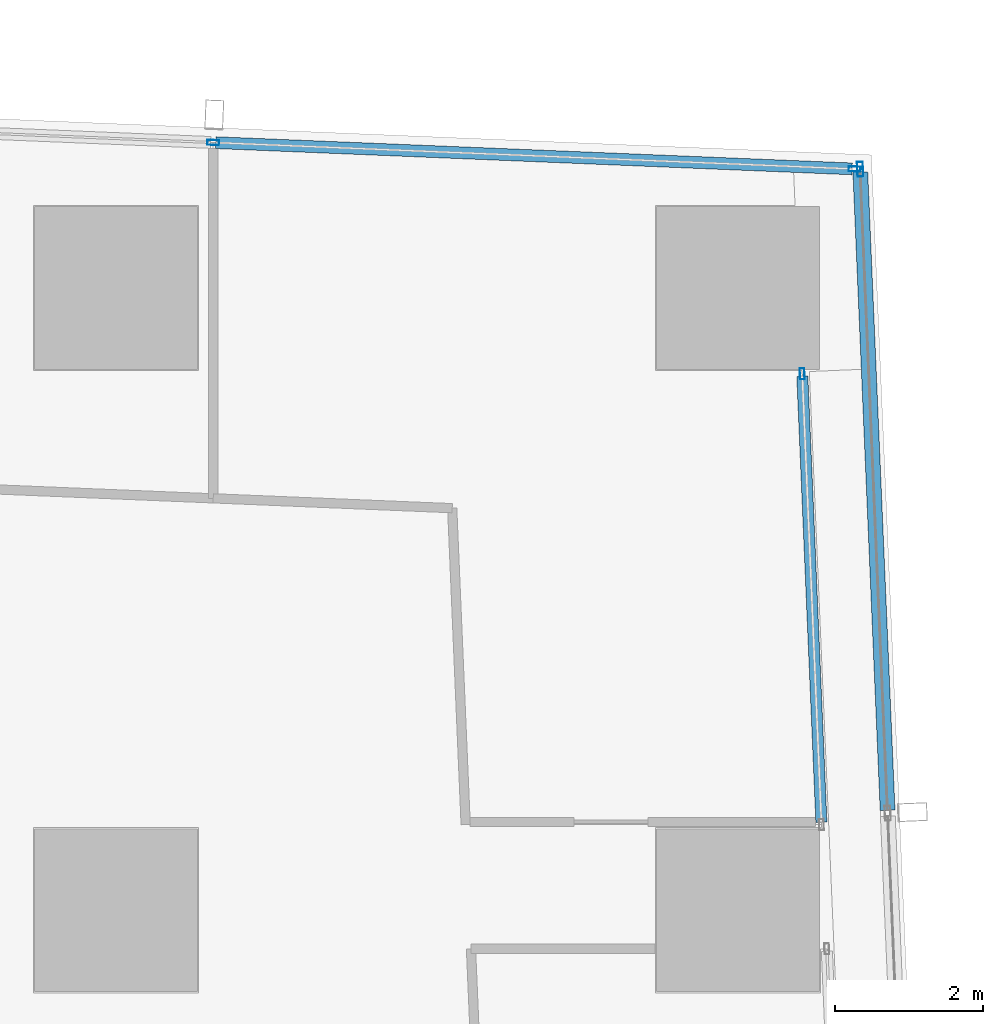
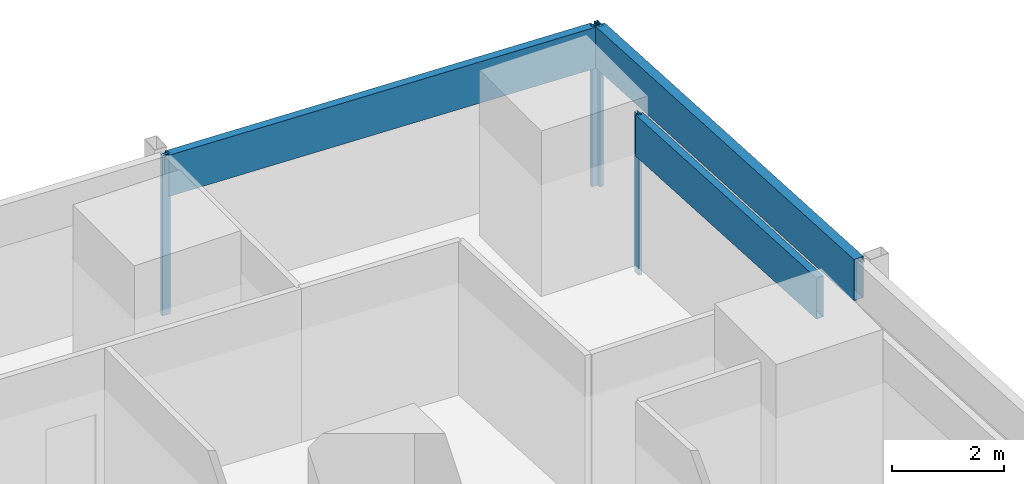
# One storey, part 23 of 44: 7 members, 3 elements without a shape of their own.
"""IFC4 building model written with IfcOpenShell, lengths in metres."""

from ifc_helpers import new_model, si_unit, direction, frame, origin, origin_2d, place, context, subcontext, project, spatial, hollow_rectangle, extrude, material, material_profile, profile_set, type_object, element, aggregate, save


model = new_model("IFC4")

# Units and contexts
model_context = context("Model", 3, precision=1e-05, world=origin(), true_north=direction((0.0, 1.0)))
body_context = subcontext(model_context, "Body", "Model", "MODEL_VIEW")
ifc_project = project(units=[si_unit("LENGTHUNIT", "METRE"), si_unit("AREAUNIT", "SQUARE_METRE"), si_unit("VOLUMEUNIT", "CUBIC_METRE"), si_unit("PLANEANGLEUNIT", "RADIAN"), si_unit("MASSUNIT", "GRAM", prefix="KILO")], contexts=[model_context])

# Site, building, storey
site_placement = place(None, origin())
site = spatial("IfcSite", under=ifc_project, at=site_placement, CompositionType="ELEMENT")
building_placement = place(site_placement, origin())
building = spatial("IfcBuilding", under=site, at=building_placement, Name="Rekha Terrace Tower", CompositionType="ELEMENT")
storey_placement = place(building_placement, frame((0.0, 0.0, 51.64990234375)))
storey = spatial("IfcBuildingStorey", under=building, at=storey_placement, Name="L12", CompositionType="ELEMENT", Elevation=51.64990234375)

# Curtain wall, members
ifc_material_1 = material(Name="Aluminium framing", Category="aluminium")
curtain_wall_type_1 = type_object("IfcCurtainWallType", Name="CW1 double skin inner glazing", PredefinedType="USERDEFINED", material=ifc_material_1)
curtain_wall_1_placement = place(storey_placement, origin())
curtain_wall_1 = element("IfcCurtainWall", 1, at=curtain_wall_1_placement, inside=storey, type_object=curtain_wall_type_1, Name="CW1 double skin inner glazing", ObjectType="DOUBLE SKIN INNER GLAZING", PredefinedType="USERDEFINED")
ifc_material_2 = material(Name="Aluminium mullion section", Category="aluminium")
ifc_material_profile_1 = material_profile(ifc_material_2, hollow_rectangle(XDim=0.06494140625, YDim=0.14990234375, WallThickness=0.00390625, at=origin_2d()), Name="AL RHS 65x150")
ifc_profile_set_1 = profile_set([ifc_material_profile_1], Name="Aluminium mullion section")
member_type_1 = type_object("IfcMemberType", Name="CW1 mullion RHS 65 x 150", PredefinedType="MULLION", material=ifc_profile_set_1)
member_1_placement = place(storey_placement, frame((68.0654296875, 57.6435546875, 0.0), z_axis=(0.0, 0.0, 1.0), x_axis=(-0.9990881069, -0.042696073026, 0.0)))
member_1 = element("IfcMember", 2, at=member_1_placement, type_object=member_type_1, Name="CW1 mullion 2", PredefinedType="MULLION", context=body_context, shape_type="SweptSolid", body=[
    extrude(hollow_rectangle(XDim=0.06494140625, YDim=0.14990234375, WallThickness=0.00390625, at=origin_2d()), origin(), (0.0, 0.0, 1.0), 3.5),
])
ifc_material_3 = material(Name="Insulated aluminium spandrel box", Category="aluminium")
ifc_material_profile_2 = material_profile(ifc_material_3, hollow_rectangle(XDim=0.14990234375, YDim=0.89990234375, WallThickness=0.0029296875, at=origin_2d()), Name="AL SPANDREL BOX 150x900")
ifc_profile_set_2 = profile_set([ifc_material_profile_2], Name="Insulated aluminium spandrel box")
member_type_2 = type_object("IfcMemberType", Name="CW1 spandrel transom 150 x 900", PredefinedType="USERDEFINED", material=ifc_profile_set_2)
member_2_placement = place(storey_placement, frame((68.32421875, 51.5888671875, 3.050048828125), z_axis=(-0.042730627731, 0.999086629604, 0.0), x_axis=(-0.999086629604, -0.042730627731, 0.0)))
member_2 = element("IfcMember", 3, at=member_2_placement, type_object=member_type_2, Name="CW1 spandrel transom 1", ObjectType="TRANSOM", PredefinedType="USERDEFINED", context=body_context, shape_type="SweptSolid", body=[
    extrude(hollow_rectangle(XDim=0.14990234375, YDim=0.89990234375, WallThickness=0.0029296875, at=origin_2d()), origin(), (0.0, 0.0, 1.0), 6.02783203125),
])
aggregate(curtain_wall_1, [member_1, member_2])

curtain_wall_type_2 = type_object("IfcCurtainWallType", Name="CW2 double skin outer glazing", PredefinedType="USERDEFINED", material=ifc_material_1)
curtain_wall_2_placement = place(storey_placement, origin())
curtain_wall_2 = element("IfcCurtainWall", 4, at=curtain_wall_2_placement, inside=storey, type_object=curtain_wall_type_2, Name="CW2 double skin outer glazing", ObjectType="DOUBLE SKIN OUTER GLAZING", PredefinedType="USERDEFINED")
ifc_material_profile_3 = material_profile(ifc_material_2, hollow_rectangle(XDim=0.080078125, YDim=0.199951171875, WallThickness=0.00390625, at=origin_2d()), Name="AL RHS 80x200")
ifc_profile_set_3 = profile_set([ifc_material_profile_3], Name="Aluminium mullion section")
member_type_3 = type_object("IfcMemberType", Name="CW2 mullion RHS 80 x 200", PredefinedType="MULLION", material=ifc_profile_set_3)
member_3_placement = place(storey_placement, frame((68.84814453125, 60.40625, 0.0), z_axis=(0.0, 0.0, 1.0), x_axis=(-0.999088106903, -0.042696072956, 0.0)))
member_3 = element("IfcMember", 5, at=member_3_placement, type_object=member_type_3, Name="CW2 mullion 5", PredefinedType="MULLION", context=body_context, shape_type="SweptSolid", body=[
    extrude(hollow_rectangle(XDim=0.080078125, YDim=0.199951171875, WallThickness=0.00390625, at=origin_2d()), origin(), (0.0, 0.0, 1.0), 3.5),
])
ifc_material_profile_4 = material_profile(ifc_material_3, hollow_rectangle(XDim=0.199951171875, YDim=0.89990234375, WallThickness=0.0029296875, at=origin_2d()), Name="AL SPANDREL BOX 200x900")
ifc_profile_set_4 = profile_set([ifc_material_profile_4], Name="Insulated aluminium spandrel box")
member_type_4 = type_object("IfcMemberType", Name="CW2 spandrel transom 200 x 900", PredefinedType="USERDEFINED", material=ifc_profile_set_4)
member_4_placement = place(storey_placement, frame((69.218017578125, 51.750244140625, 3.050048828125), z_axis=(-0.042691483974, 0.999088303002, 0.0), x_axis=(-0.999088303002, -0.042691483974, 0.0)))
member_4 = element("IfcMember", 6, at=member_4_placement, type_object=member_type_4, Name="CW2 spandrel transom 4", ObjectType="TRANSOM", PredefinedType="USERDEFINED", context=body_context, shape_type="SweptSolid", body=[
    extrude(hollow_rectangle(XDim=0.199951171875, YDim=0.89990234375, WallThickness=0.0029296875, at=origin_2d()), origin(), (0.0, 0.0, 1.0), 8.623779296875),
])
aggregate(curtain_wall_2, [member_3, member_4])

curtain_wall_type_3 = type_object("IfcCurtainWallType", Name="CW3 north unitised glazing", PredefinedType="USERDEFINED", material=ifc_material_1)
curtain_wall_3_placement = place(storey_placement, origin())
curtain_wall_3 = element("IfcCurtainWall", 7, at=curtain_wall_3_placement, inside=storey, type_object=curtain_wall_type_3, Name="CW3 unitised curtain wall", ObjectType="UNITISED CURTAIN WALL", PredefinedType="USERDEFINED")
ifc_material_profile_5 = material_profile(ifc_material_2, hollow_rectangle(XDim=0.070068359375, YDim=0.159912109375, WallThickness=0.00390625, at=origin_2d()), Name="AL RHS 70x160")
ifc_profile_set_5 = profile_set([ifc_material_profile_5], Name="Aluminium mullion section")
member_type_5 = type_object("IfcMemberType", Name="CW3 mullion RHS 70 x 160", PredefinedType="MULLION", material=ifc_profile_set_5)
member_5_placement = place(storey_placement, frame((68.77294921875, 60.4091796875, 0.0), z_axis=(0.0, 0.0, 1.0), x_axis=(-0.041173846041, -0.999151997647, 0.0)))
member_5 = element("IfcMember", 8, at=member_5_placement, type_object=member_type_5, Name="CW3 mullion 1", PredefinedType="MULLION", context=body_context, shape_type="SweptSolid", body=[
    extrude(hollow_rectangle(XDim=0.070068359375, YDim=0.159912109375, WallThickness=0.00390625, at=origin_2d()), origin(), (0.0, 0.0, 1.0), 3.5),
])
member_6_placement = place(storey_placement, frame((60.111572265625, 60.76611328125, 0.0), z_axis=(0.0, 0.0, 1.0), x_axis=(-0.041173846041, -0.999151997647, 0.0)))
member_6 = element("IfcMember", 9, at=member_6_placement, type_object=member_type_5, Name="CW3 mullion 2", PredefinedType="MULLION", context=body_context, shape_type="SweptSolid", body=[
    extrude(hollow_rectangle(XDim=0.070068359375, YDim=0.159912109375, WallThickness=0.00390625, at=origin_2d()), origin(), (0.0, 0.0, 1.0), 3.5),
])
ifc_material_profile_6 = material_profile(ifc_material_3, hollow_rectangle(XDim=0.159912109375, YDim=0.89990234375, WallThickness=0.0029296875, at=origin_2d()), Name="AL SPANDREL BOX 160x900")
ifc_profile_set_6 = profile_set([ifc_material_profile_6], Name="Insulated aluminium spandrel box")
member_type_6 = type_object("IfcMemberType", Name="CW3 spandrel transom 160 x 900", PredefinedType="USERDEFINED", material=ifc_profile_set_6)
member_7_placement = place(storey_placement, frame((68.738037109375, 60.41064453125, 3.050048828125), z_axis=(-0.99915220621, 0.041168784604, 0.0), x_axis=(-0.041168784604, -0.99915220621, 0.0)))
member_7 = element("IfcMember", 10, at=member_7_placement, type_object=member_type_6, Name="CW3 spandrel transom 1", ObjectType="TRANSOM", PredefinedType="USERDEFINED", context=body_context, shape_type="SweptSolid", body=[
    extrude(hollow_rectangle(XDim=0.159912109375, YDim=0.89990234375, WallThickness=0.0029296875, at=origin_2d()), origin(), (0.0, 0.0, 1.0), 8.598876953125),
])
aggregate(curtain_wall_3, [member_5, member_6, member_7])

save(model, "model.ifc")
